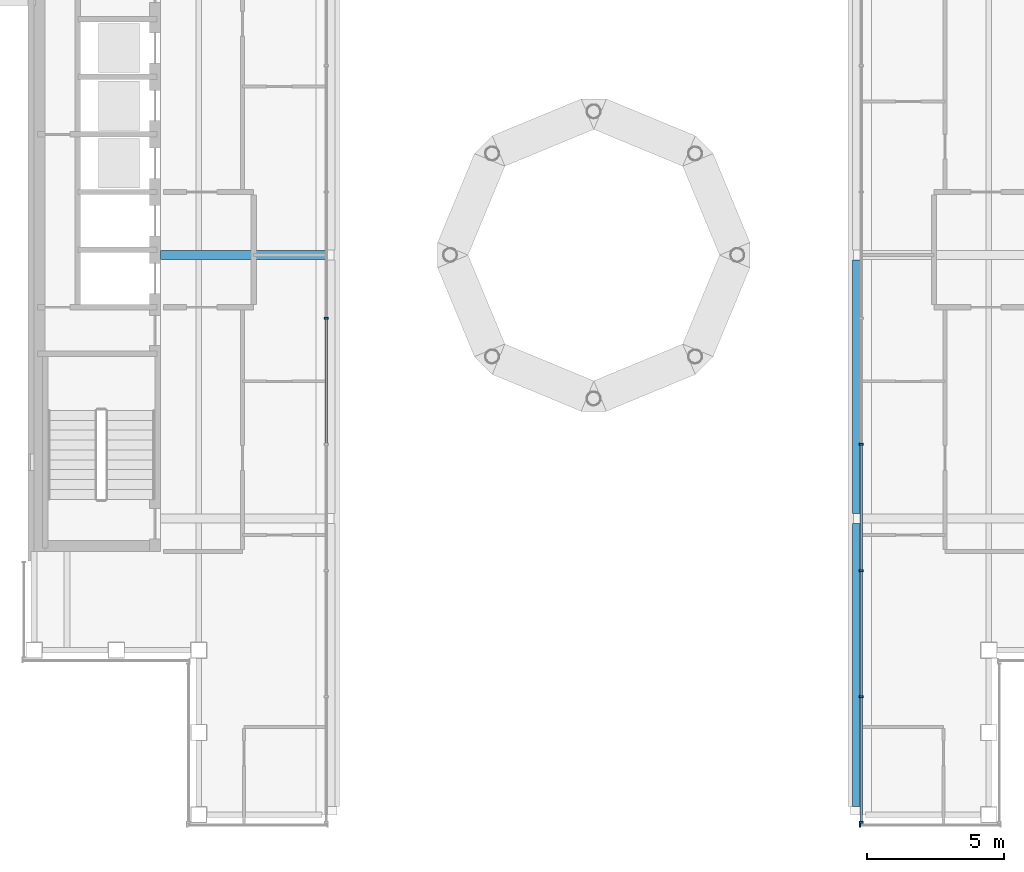
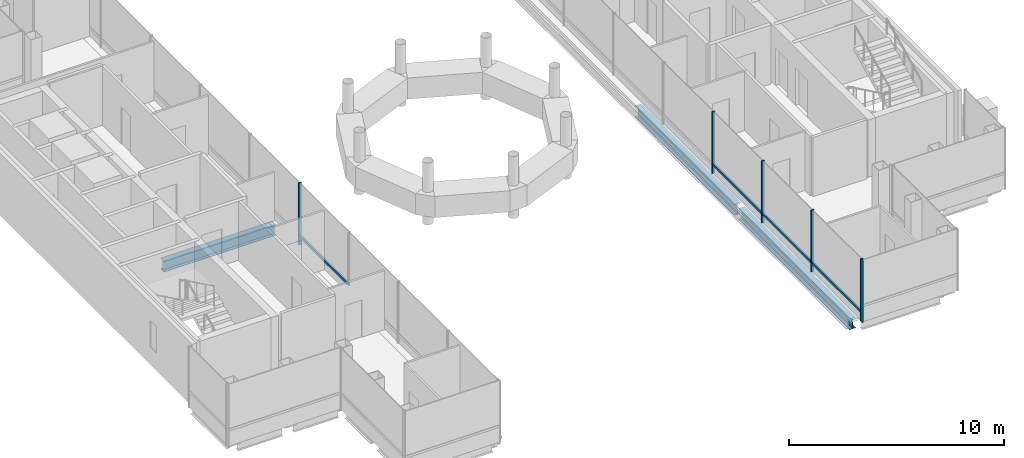
# One storey, part 5 of 21: 10 members, 3 beams, 3 elements without a shape of their own.
"""IFC4 building model written with IfcOpenShell, lengths in metres."""

from ifc_helpers import new_model, si_unit, direction, frame, origin, origin_2d, place, context, subcontext, project, spatial, rectangle, i_section, extrude, material, material_profile, profile_set, type_object, element, aggregate, save


model = new_model("IFC4")

# Units and contexts
model_context = context("Model", 3, precision=1e-05, world=origin(), true_north=direction((0.0, 1.0)))
body_context = subcontext(model_context, "Body", "Model", "MODEL_VIEW")
ifc_project = project(units=[si_unit("LENGTHUNIT", "METRE"), si_unit("AREAUNIT", "SQUARE_METRE"), si_unit("VOLUMEUNIT", "CUBIC_METRE"), si_unit("PLANEANGLEUNIT", "RADIAN"), si_unit("MASSUNIT", "GRAM", prefix="KILO")], contexts=[model_context])

# Site, building, storey
site_placement = place(None, origin())
site = spatial("IfcSite", under=ifc_project, at=site_placement, CompositionType="ELEMENT")
building_placement = place(site_placement, origin())
building = spatial("IfcBuilding", under=site, at=building_placement, Name="Cobrizo Arcos Hotel Tower", CompositionType="ELEMENT")
storey_placement = place(building_placement, frame((0.0, 0.0, 279.5)))
storey = spatial("IfcBuildingStorey", under=building, at=storey_placement, Name="L74", CompositionType="ELEMENT", Elevation=279.5)

# Curtain wall, member
ifc_material_1 = material(Name="Aluminium 6063-T6 anodised bronze", Category="aluminium")
curtain_wall_type_1 = type_object("IfcCurtainWallType", Name="CW-A guest facade", PredefinedType="NOTDEFINED", material=ifc_material_1)
curtain_wall_1_placement = place(storey_placement, origin())
curtain_wall_1 = element("IfcCurtainWall", 1, at=curtain_wall_1_placement, inside=storey, type_object=curtain_wall_type_1, Name="CW-A L74 S face", PredefinedType="NOTDEFINED")
ifc_material_profile_1 = material_profile(ifc_material_1, rectangle(XDim=0.14990234375, YDim=0.06005859375, at=origin_2d()), Name="CW-A mullion 150x60")
ifc_profile_set_1 = profile_set([ifc_material_profile_1], Name="Aluminium 6063-T6 anodised bronze")
member_type_1 = type_object("IfcMemberType", Name="CW-A mullion 150x60", PredefinedType="MULLION", material=ifc_profile_set_1)
member_1_placement = place(storey_placement, frame((9.707763671875, -20.77490234375, 0.0), z_axis=(0.0, 0.0, 1.0), x_axis=(0.0, -1.0, 0.0)))
member_1 = element("IfcMember", 2, at=member_1_placement, type_object=member_type_1, Name="CW-A mullion 1", PredefinedType="MULLION", context=body_context, shape_type="SweptSolid", body=[
    extrude(rectangle(XDim=0.14990234375, YDim=0.06005859375, at=origin_2d()), origin(), (0.0, 0.0, 1.0), 3.5),
])
aggregate(curtain_wall_1, [member_1])

# Curtain wall, members
curtain_wall_type_2 = type_object("IfcCurtainWallType", Name="CW-C arch infill and crown glazing", PredefinedType="NOTDEFINED", material=ifc_material_1)
curtain_wall_2_placement = place(storey_placement, origin())
curtain_wall_2 = element("IfcCurtainWall", 3, at=curtain_wall_2_placement, inside=storey, type_object=curtain_wall_type_2, Name="CW-C L74 W face", PredefinedType="NOTDEFINED")
ifc_material_profile_2 = material_profile(ifc_material_1, rectangle(XDim=0.14990234375, YDim=0.070068359375, at=origin_2d()), Name="CW-C mullion 150x70")
ifc_profile_set_2 = profile_set([ifc_material_profile_2], Name="Aluminium 6063-T6 anodised bronze")
member_type_2 = type_object("IfcMemberType", Name="CW-C mullion 150x70", PredefinedType="MULLION", material=ifc_profile_set_2)
member_2_placement = place(storey_placement, frame((9.7529296875, -6.89990234375, 0.0), z_axis=(0.0, 0.0, 1.0), x_axis=(-1.0, 0.0, 0.0)))
member_2 = element("IfcMember", 4, at=member_2_placement, type_object=member_type_2, Name="CW-C mullion 7", PredefinedType="MULLION", context=body_context, shape_type="SweptSolid", body=[
    extrude(rectangle(XDim=0.14990234375, YDim=0.070068359375, at=origin_2d()), origin(), (0.0, 0.0, 1.0), 3.5),
])
member_3_placement = place(storey_placement, frame((9.7529296875, -11.5, 0.0), z_axis=(0.0, 0.0, 1.0), x_axis=(-1.0, 0.0, 0.0)))
member_3 = element("IfcMember", 5, at=member_3_placement, type_object=member_type_2, Name="CW-C mullion 8", PredefinedType="MULLION", context=body_context, shape_type="SweptSolid", body=[
    extrude(rectangle(XDim=0.14990234375, YDim=0.070068359375, at=origin_2d()), origin(), (0.0, 0.0, 1.0), 3.5),
])
member_4_placement = place(storey_placement, frame((9.7529296875, -16.10009765625, 0.0), z_axis=(0.0, 0.0, 1.0), x_axis=(-1.0, 0.0, 0.0)))
member_4 = element("IfcMember", 6, at=member_4_placement, type_object=member_type_2, Name="CW-C mullion 9", PredefinedType="MULLION", context=body_context, shape_type="SweptSolid", body=[
    extrude(rectangle(XDim=0.14990234375, YDim=0.070068359375, at=origin_2d()), origin(), (0.0, 0.0, 1.0), 3.5),
])
member_5_placement = place(storey_placement, frame((9.7529296875, -20.6650390625, 0.0), z_axis=(0.0, 0.0, 1.0), x_axis=(-1.0, 0.0, 0.0)))
member_5 = element("IfcMember", 7, at=member_5_placement, type_object=member_type_2, Name="CW-C mullion 10", PredefinedType="MULLION", context=body_context, shape_type="SweptSolid", body=[
    extrude(rectangle(XDim=0.14990234375, YDim=0.070068359375, at=origin_2d()), origin(), (0.0, 0.0, 1.0), 3.5),
])

# Curtain wall, member
curtain_wall_3_placement = place(storey_placement, origin())
curtain_wall_3 = element("IfcCurtainWall", 8, at=curtain_wall_3_placement, inside=storey, type_object=curtain_wall_type_2, Name="CW-C L74 E face", PredefinedType="NOTDEFINED")
member_6_placement = place(storey_placement, frame((-9.7529296875, -2.300048828125, 0.0), z_axis=(0.0, 0.0, 1.0), x_axis=(1.0, 0.0, 0.0)))
member_6 = element("IfcMember", 9, at=member_6_placement, type_object=member_type_2, Name="CW-C mullion 5", PredefinedType="MULLION", context=body_context, shape_type="SweptSolid", body=[
    extrude(rectangle(XDim=0.14990234375, YDim=0.070068359375, at=origin_2d()), origin(), (0.0, 0.0, 1.0), 3.5),
])

# Member
ifc_material_profile_3 = material_profile(ifc_material_1, rectangle(XDim=0.10009765625, YDim=0.139892578125, at=origin_2d()), Name="CW-C transom 140x100")
ifc_profile_set_3 = profile_set([ifc_material_profile_3], Name="Aluminium 6063-T6 anodised bronze")
member_type_3 = type_object("IfcMemberType", Name="CW-C transom 140x100", PredefinedType="USERDEFINED", material=ifc_profile_set_3)
member_7_placement = place(storey_placement, frame((9.7529296875, -6.93505859375, 0.5), z_axis=(0.0, -1.0, 0.0), x_axis=(1.0, 0.0, 0.0)))
member_7 = element("IfcMember", 10, at=member_7_placement, type_object=member_type_3, Name="CW-C transom 2331", ObjectType="TRANSOM", PredefinedType="USERDEFINED", context=body_context, shape_type="SweptSolid", body=[
    extrude(rectangle(XDim=0.10009765625, YDim=0.139892578125, at=origin_2d()), origin(), (0.0, 0.0, 1.0), 4.530029296875),
])

member_8_placement = place(storey_placement, frame((9.7529296875, -11.534912109375, 0.5), z_axis=(0.0, -1.0, 0.0), x_axis=(1.0, 0.0, 0.0)))
member_8 = element("IfcMember", 11, at=member_8_placement, type_object=member_type_3, Name="CW-C transom 2332", ObjectType="TRANSOM", PredefinedType="USERDEFINED", context=body_context, shape_type="SweptSolid", body=[
    extrude(rectangle(XDim=0.10009765625, YDim=0.139892578125, at=origin_2d()), origin(), (0.0, 0.0, 1.0), 4.530029296875),
])

member_9_placement = place(storey_placement, frame((9.7529296875, -16.135009765625, 0.5), z_axis=(0.0, -1.0, 0.0), x_axis=(1.0, 0.0, 0.0)))
member_9 = element("IfcMember", 12, at=member_9_placement, type_object=member_type_3, Name="CW-C transom 2333", ObjectType="TRANSOM", PredefinedType="USERDEFINED", context=body_context, shape_type="SweptSolid", body=[
    extrude(rectangle(XDim=0.10009765625, YDim=0.139892578125, at=origin_2d()), origin(), (0.0, 0.0, 1.0), 4.494873046875),
])

aggregate(curtain_wall_2, [member_2, member_3, member_4, member_5, member_7, member_8, member_9])

member_10_placement = place(storey_placement, frame((-9.7529296875, -6.864990234375, 0.5), z_axis=(0.0, 1.0, 0.0), x_axis=(-1.0, 0.0, 0.0)))
member_10 = element("IfcMember", 13, at=member_10_placement, type_object=member_type_3, Name="CW-C transom 2345", ObjectType="TRANSOM", PredefinedType="USERDEFINED", context=body_context, shape_type="SweptSolid", body=[
    extrude(rectangle(XDim=0.10009765625, YDim=0.139892578125, at=origin_2d()), origin(), (0.0, 0.0, 1.0), 4.530029296875),
])

aggregate(curtain_wall_3, [member_6, member_10])

# Beams
ifc_material_2 = material(Name="Steel ASTM A992 Grade 50", Category="steel")
ifc_material_profile_4 = material_profile(ifc_material_2, i_section(OverallWidth=0.32763671875, OverallDepth=0.622314453125, WebThickness=0.015380859375, FlangeThickness=0.0244140625, at=origin_2d()), Name="W24X131")
ifc_profile_set_4 = profile_set([ifc_material_profile_4], Name="Steel ASTM A992 Grade 50")
beam_type = type_object("IfcBeamType", Name="W24X131 girder", PredefinedType="BEAM", material=ifc_profile_set_4)
beam_1_placement = place(storey_placement, frame((-15.7900390625, 0.0, -0.461181640625), z_axis=(1.0, 0.0, 0.0), x_axis=(0.0, 1.0, 0.0)))
element("IfcBeam", 14, at=beam_1_placement, inside=storey, type_object=beam_type, Name="Floor girder G1, L74, no. 003", PredefinedType="BEAM", context=body_context, shape_type="SweptSolid", body=[
    extrude(i_section(OverallWidth=0.32763671875, OverallDepth=0.622314453125, WebThickness=0.015380859375, FlangeThickness=0.0244140625, at=origin_2d()), origin(), (0.0, 0.0, 1.0), 6.005859375),
])
beam_2_placement = place(storey_placement, frame((9.60009765625, -20.10009765625, -0.461181640625), z_axis=(0.0, 1.0, 0.0), x_axis=(-1.0, 0.0, 0.0)))
element("IfcBeam", 15, at=beam_2_placement, inside=storey, type_object=beam_type, Name="Floor girder G1, L74, no. 011", PredefinedType="BEAM", context=body_context, shape_type="SweptSolid", body=[
    extrude(i_section(OverallWidth=0.32763671875, OverallDepth=0.622314453125, WebThickness=0.015380859375, FlangeThickness=0.0244140625, at=origin_2d()), origin(), (0.0, 0.0, 1.0), 10.31591796875),
])
beam_3_placement = place(storey_placement, frame((9.60009765625, -9.415771484375, -0.461181640625), z_axis=(0.0, 1.0, 0.0), x_axis=(-1.0, 0.0, 0.0)))
element("IfcBeam", 16, at=beam_3_placement, inside=storey, type_object=beam_type, Name="Floor girder G1, L74, no. 012", PredefinedType="BEAM", context=body_context, shape_type="SweptSolid", body=[
    extrude(i_section(OverallWidth=0.32763671875, OverallDepth=0.622314453125, WebThickness=0.015380859375, FlangeThickness=0.0244140625, at=origin_2d()), origin(), (0.0, 0.0, 1.0), 9.231689453125),
])

save(model, "model.ifc")
